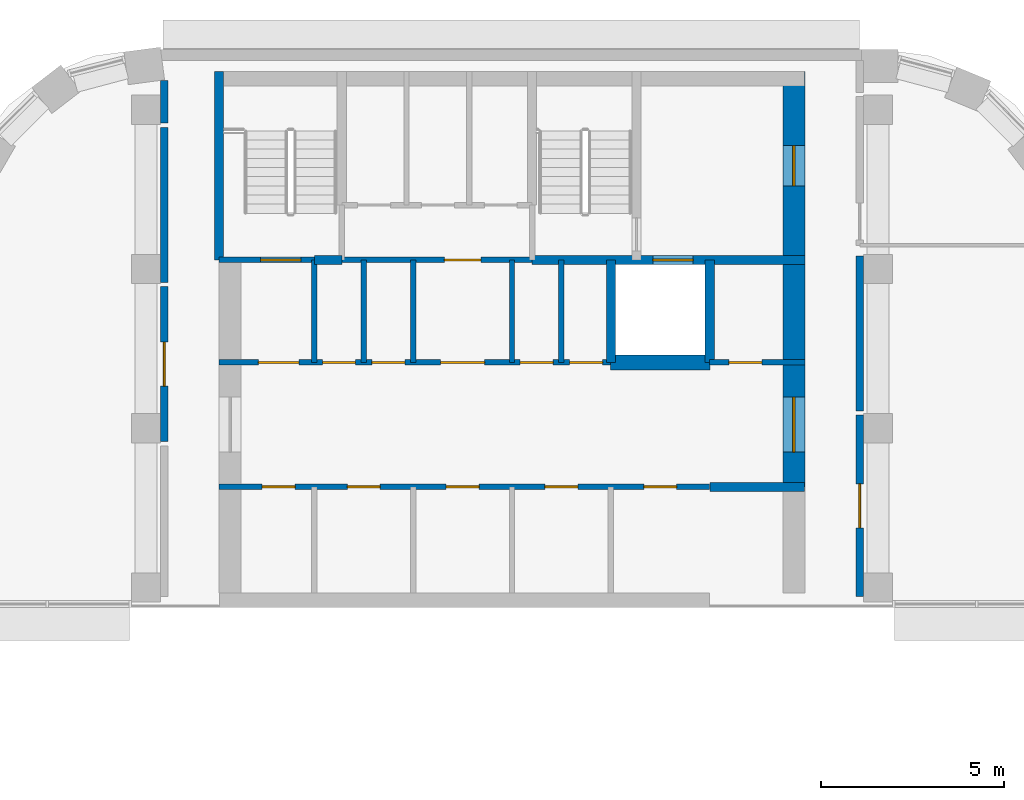
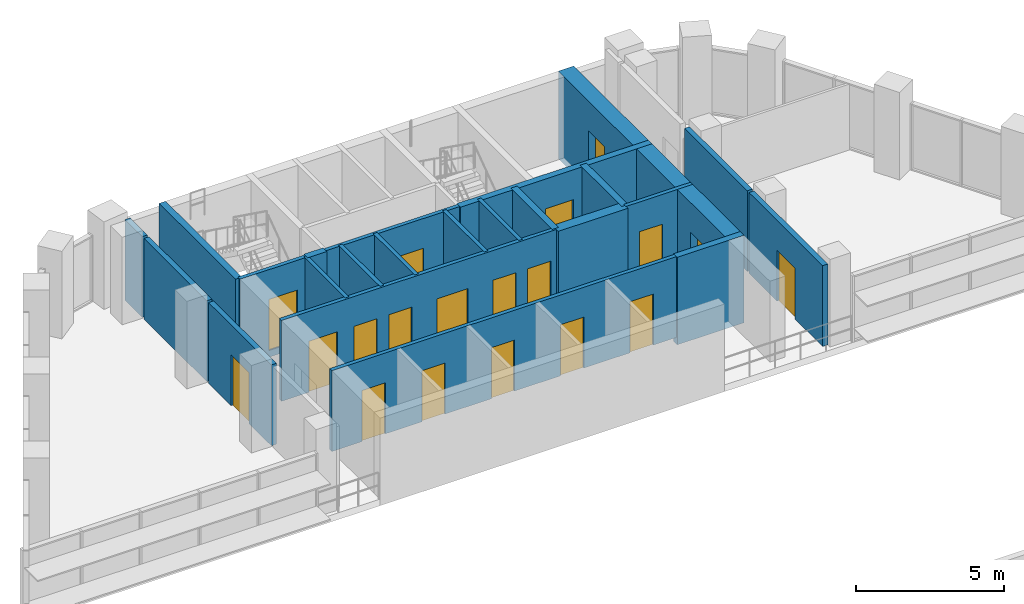
# One storey, part 7 of 10: 23 walls, 19 doors, 19 openings.
"""IFC4 building model written with IfcOpenShell, lengths in metres."""

from ifc_helpers import new_model, si_unit, direction, frame, frame_2d, origin, place, context, subcontext, project, spatial, rectangle, extrude, material, layer, layer_set, type_object, element, fill, save


model = new_model("IFC4")

# Units and contexts
model_context = context("Model", 3, precision=1e-05, world=origin(), true_north=direction((0.0, 1.0)))
body_context = subcontext(model_context, "Body", "Model", "MODEL_VIEW")
ifc_project = project(units=[si_unit("LENGTHUNIT", "METRE"), si_unit("AREAUNIT", "SQUARE_METRE"), si_unit("VOLUMEUNIT", "CUBIC_METRE"), si_unit("PLANEANGLEUNIT", "RADIAN"), si_unit("MASSUNIT", "GRAM", prefix="KILO")], contexts=[model_context])

# Site, building, storey
site_placement = place(None, origin())
site = spatial("IfcSite", under=ifc_project, at=site_placement, CompositionType="ELEMENT")
building_placement = place(site_placement, origin())
building = spatial("IfcBuilding", under=site, at=building_placement, Name="Nakaniwa Court", CompositionType="ELEMENT")
storey_placement = place(building_placement, frame((0.0, 0.0, 290.39990234375)))
storey = spatial("IfcBuildingStorey", under=building, at=storey_placement, Name="C06", CompositionType="ELEMENT", Elevation=290.39990234375)

# Wall, opening, door
ifc_material_1 = material(Name="Acoustic double stud partition")
ifc_layer_1 = layer(ifc_material_1, 0.199951171875)
ifc_layer_set_1 = layer_set([ifc_layer_1], Name="Acoustic double stud partition")
wall_type_1 = type_object("IfcWallType", Name="Acoustic double stud partition 200", PredefinedType="PARTITIONING", material=ifc_layer_set_1)
wall_1_placement = place(storey_placement, frame((89.5, 92.6630859375, 0.0), z_axis=(0.0, 0.0, 1.0), x_axis=(0.0, -1.0, 0.0)))
wall_1 = element("IfcWall", 1, at=wall_1_placement, inside=storey, type_object=wall_type_1, Name="Partition PW-031", PredefinedType="PARTITIONING", context=body_context, shape_type="SweptSolid", body=[
    extrude(rectangle(XDim=4.963134765625, YDim=0.199951171875, at=frame_2d((2.4814453125, 0.0))), origin(), (0.0, 0.0, 1.0), 3.3251953125),
])
opening_1_placement = place(wall_1_placement, frame((1.883056640625, 0.0, 0.0)))
opening_1 = element("IfcOpeningElement", 2, at=opening_1_placement, cuts=wall_1, Name="Opening D-30-01", PredefinedType="OPENING", context=body_context, shape_type="SweptSolid", body=[
    extrude(rectangle(XDim=1.199951171875, YDim=2.10009765625, at=frame_2d((0.60009765625, 1.050048828125))), frame((0.0, 0.10986328125, 0.0), z_axis=(0.0, -1.0, 0.0), x_axis=(1.0, 0.0, 0.0)), (0.0, 0.0, 1.0), 0.219970703125),
])
ifc_material_2 = material(Name="Solid core timber door set, black veneer", Category="wood")
door_type_1 = type_object("IfcDoorType", Name="Internal door 1200", OperationType="NOTDEFINED", PredefinedType="DOOR", material=ifc_material_2)
door_1_placement = place(opening_1_placement, origin())
door_1 = element("IfcDoor", 3, at=door_1_placement, inside=storey, type_object=door_type_1, Name="Door D-30-01 C06-019", OperationType="SINGLE_SWING_RIGHT", OverallHeight=2.10009765625, OverallWidth=1.199951171875, PredefinedType="DOOR", context=body_context, shape_type="SweptSolid", body=[
    extrude(rectangle(XDim=1.199951171875, YDim=2.10009765625, at=frame_2d((0.60009765625, 1.050048828125))), frame((0.0, 0.02490234375, 0.0), z_axis=(0.0, -1.0, 0.0), x_axis=(1.0, 0.0, 0.0)), (0.0, 0.0, 1.0), 0.050048828125),
])
fill(opening_1, door_1)

# Wall
wall_2_placement = place(storey_placement, frame((89.5, 92.777099609375, 0.0), z_axis=(0.0, 0.0, 1.0), x_axis=(0.0, 1.0, 0.0)))
element("IfcWall", 4, at=wall_2_placement, inside=storey, type_object=wall_type_1, Name="Partition PW-032", PredefinedType="PARTITIONING", context=body_context, shape_type="SweptSolid", body=[
    extrude(rectangle(XDim=4.23583984375, YDim=0.199951171875, at=frame_2d((2.117919921875, 0.0))), origin(), (0.0, 0.0, 1.0), 3.3251953125),
])

# Wall, opening, door
wall_3_placement = place(storey_placement, frame((70.5, 91.93701171875, 0.0), z_axis=(0.0, 0.0, 1.0), x_axis=(0.0, 1.0, 0.0)))
wall_3 = element("IfcWall", 5, at=wall_3_placement, inside=storey, type_object=wall_type_1, Name="Partition PW-037", PredefinedType="PARTITIONING", context=body_context, shape_type="SweptSolid", body=[
    extrude(rectangle(XDim=4.236083984375, YDim=0.199951171875, at=frame_2d((2.1181640625, 0.0))), origin(), (0.0, 0.0, 1.0), 3.3251953125),
])
opening_2_placement = place(wall_3_placement, frame((1.51806640625, 0.0, 0.0)))
opening_2 = element("IfcOpeningElement", 6, at=opening_2_placement, cuts=wall_3, Name="Opening D-30-02", PredefinedType="OPENING", context=body_context, shape_type="SweptSolid", body=[
    extrude(rectangle(XDim=1.199951171875, YDim=2.10009765625, at=frame_2d((0.60009765625, 1.050048828125))), frame((0.0, 0.10986328125, 0.0), z_axis=(0.0, -1.0, 0.0), x_axis=(1.0, 0.0, 0.0)), (0.0, 0.0, 1.0), 0.219970703125),
])
door_2_placement = place(opening_2_placement, origin())
door_2 = element("IfcDoor", 7, at=door_2_placement, inside=storey, type_object=door_type_1, Name="Door D-30-02 C06-021", OperationType="SINGLE_SWING_RIGHT", OverallHeight=2.10009765625, OverallWidth=1.199951171875, PredefinedType="DOOR", context=body_context, shape_type="SweptSolid", body=[
    extrude(rectangle(XDim=1.199951171875, YDim=2.10009765625, at=frame_2d((0.60009765625, 1.050048828125))), frame((0.0, 0.02490234375, 0.0), z_axis=(0.0, -1.0, 0.0), x_axis=(1.0, 0.0, 0.0)), (0.0, 0.0, 1.0), 0.050048828125),
])
fill(opening_2, door_2)

# Walls
wall_4_placement = place(storey_placement, frame((70.5, 96.287109375, 0.0), z_axis=(0.0, 0.0, 1.0), x_axis=(0.0, 1.0, 0.0)))
element("IfcWall", 8, at=wall_4_placement, inside=storey, type_object=wall_type_1, Name="Partition PW-038", PredefinedType="PARTITIONING", context=body_context, shape_type="SweptSolid", body=[
    extrude(rectangle(XDim=4.23583984375, YDim=0.199951171875, at=frame_2d((2.117919921875, 0.0))), origin(), (0.0, 0.0, 1.0), 3.3251953125),
])
wall_5_placement = place(storey_placement, frame((70.5, 100.636962890625, 0.0), z_axis=(0.0, 0.0, 1.0), x_axis=(0.0, 1.0, 0.0)))
element("IfcWall", 9, at=wall_5_placement, inside=storey, type_object=wall_type_1, Name="Partition PW-039", PredefinedType="PARTITIONING", context=body_context, shape_type="SweptSolid", body=[
    extrude(rectangle(XDim=1.163818359375, YDim=0.199951171875, at=frame_2d((0.58203125, 0.0))), origin(), (0.0, 0.0, 1.0), 3.3251953125),
])
ifc_material_3 = material(Name="Blockwork partition", Category="masonry")
ifc_layer_2 = layer(ifc_material_3, 0.14990234375)
ifc_layer_set_2 = layer_set([ifc_layer_2], Name="Blockwork partition")
wall_type_2 = type_object("IfcWallType", Name="Blockwork partition 150", PredefinedType="PARTITIONING", material=ifc_layer_set_2)
wall_6_placement = place(storey_placement, frame((74.60009765625, 94.10009765625, 0.0), z_axis=(0.0, 0.0, 1.0), x_axis=(0.0, 1.0, 0.0)))
element("IfcWall", 10, at=wall_6_placement, inside=storey, type_object=wall_type_2, Name="Partition PW-002", PredefinedType="PARTITIONING", context=body_context, shape_type="SweptSolid", body=[
    extrude(rectangle(XDim=2.7998046875, YDim=0.14990234375, at=frame_2d((1.39990234375, 0.0))), origin(), (0.0, 0.0, 1.0), 3.3251953125),
])

# Wall, openings, doors
wall_7_placement = place(storey_placement, frame((85.39990234375, 90.699951171875, 0.0), z_axis=(0.0, 0.0, 1.0), x_axis=(-1.0, 0.0, 0.0)))
wall_7 = element("IfcWall", 11, at=wall_7_placement, inside=storey, type_object=wall_type_2, Name="Partition PW-003", PredefinedType="PARTITIONING", context=body_context, shape_type="SweptSolid", body=[
    extrude(rectangle(XDim=13.39990234375, YDim=0.14990234375, at=frame_2d((6.699951171875, 0.0))), origin(), (0.0, 0.0, 1.0), 3.3251953125),
])
opening_3_placement = place(wall_7_placement, frame((11.324951171875, 0.0, 0.0)))
opening_3 = element("IfcOpeningElement", 12, at=opening_3_placement, cuts=wall_7, Name="Opening D-05-01", PredefinedType="OPENING", context=body_context, shape_type="SweptSolid", body=[
    extrude(rectangle(XDim=0.89990234375, YDim=2.10009765625, at=frame_2d((0.449951171875, 1.050048828125))), frame((0.0, 0.0849609375, 0.0), z_axis=(0.0, -1.0, 0.0), x_axis=(1.0, 0.0, 0.0)), (0.0, 0.0, 1.0), 0.169921875),
])
opening_4_placement = place(wall_7_placement, frame((9.0, 0.0, 0.0)))
opening_4 = element("IfcOpeningElement", 13, at=opening_4_placement, cuts=wall_7, Name="Opening D-05-02", PredefinedType="OPENING", context=body_context, shape_type="SweptSolid", body=[
    extrude(rectangle(XDim=0.89990234375, YDim=2.10009765625, at=frame_2d((0.449951171875, 1.050048828125))), frame((0.0, 0.0849609375, 0.0), z_axis=(0.0, -1.0, 0.0), x_axis=(1.0, 0.0, 0.0)), (0.0, 0.0, 1.0), 0.169921875),
])
opening_5_placement = place(wall_7_placement, frame((6.300048828125, 0.0, 0.0)))
opening_5 = element("IfcOpeningElement", 14, at=opening_5_placement, cuts=wall_7, Name="Opening D-05-03", PredefinedType="OPENING", context=body_context, shape_type="SweptSolid", body=[
    extrude(rectangle(XDim=0.89990234375, YDim=2.10009765625, at=frame_2d((0.449951171875, 1.050048828125))), frame((0.0, 0.0849609375, 0.0), z_axis=(0.0, -1.0, 0.0), x_axis=(1.0, 0.0, 0.0)), (0.0, 0.0, 1.0), 0.169921875),
])
opening_6_placement = place(wall_7_placement, frame((3.60009765625, 0.0, 0.0)))
opening_6 = element("IfcOpeningElement", 15, at=opening_6_placement, cuts=wall_7, Name="Opening D-05-04", PredefinedType="OPENING", context=body_context, shape_type="SweptSolid", body=[
    extrude(rectangle(XDim=0.89990234375, YDim=2.10009765625, at=frame_2d((0.449951171875, 1.050048828125))), frame((0.0, 0.0849609375, 0.0), z_axis=(0.0, -1.0, 0.0), x_axis=(1.0, 0.0, 0.0)), (0.0, 0.0, 1.0), 0.169921875),
])
opening_7_placement = place(wall_7_placement, frame((0.89990234375, 0.0, 0.0)))
opening_7 = element("IfcOpeningElement", 16, at=opening_7_placement, cuts=wall_7, Name="Opening D-05-05", PredefinedType="OPENING", context=body_context, shape_type="SweptSolid", body=[
    extrude(rectangle(XDim=0.89990234375, YDim=2.10009765625, at=frame_2d((0.449951171875, 1.050048828125))), frame((0.0, 0.0849609375, 0.0), z_axis=(0.0, -1.0, 0.0), x_axis=(1.0, 0.0, 0.0)), (0.0, 0.0, 1.0), 0.169921875),
])
ifc_material_4 = material(Name="Fire rated steel door set", Category="steel")
door_type_2 = type_object("IfcDoorType", Name="Service room door 900", OperationType="NOTDEFINED", PredefinedType="DOOR", material=ifc_material_4)
door_3_placement = place(opening_3_placement, origin())
door_3 = element("IfcDoor", 17, at=door_3_placement, inside=storey, type_object=door_type_2, Name="Door D-05-01 C06-001", OperationType="SINGLE_SWING_RIGHT", OverallHeight=2.10009765625, OverallWidth=0.89990234375, PredefinedType="DOOR", context=body_context, shape_type="SweptSolid", body=[
    extrude(rectangle(XDim=0.89990234375, YDim=2.10009765625, at=frame_2d((0.449951171875, 1.050048828125))), frame((0.0, 0.02490234375, 0.0), z_axis=(0.0, -1.0, 0.0), x_axis=(1.0, 0.0, 0.0)), (0.0, 0.0, 1.0), 0.050048828125),
])
fill(opening_3, door_3)
door_4_placement = place(opening_4_placement, origin())
door_4 = element("IfcDoor", 18, at=door_4_placement, inside=storey, type_object=door_type_2, Name="Door D-05-02 C06-002", OperationType="SINGLE_SWING_LEFT", OverallHeight=2.10009765625, OverallWidth=0.89990234375, PredefinedType="DOOR", context=body_context, shape_type="SweptSolid", body=[
    extrude(rectangle(XDim=0.89990234375, YDim=2.10009765625, at=frame_2d((0.449951171875, 1.050048828125))), frame((0.0, 0.02490234375, 0.0), z_axis=(0.0, -1.0, 0.0), x_axis=(1.0, 0.0, 0.0)), (0.0, 0.0, 1.0), 0.050048828125),
])
fill(opening_4, door_4)
door_5_placement = place(opening_5_placement, origin())
door_5 = element("IfcDoor", 19, at=door_5_placement, inside=storey, type_object=door_type_2, Name="Door D-05-03 C06-003", OperationType="SINGLE_SWING_RIGHT", OverallHeight=2.10009765625, OverallWidth=0.89990234375, PredefinedType="DOOR", context=body_context, shape_type="SweptSolid", body=[
    extrude(rectangle(XDim=0.89990234375, YDim=2.10009765625, at=frame_2d((0.449951171875, 1.050048828125))), frame((0.0, 0.02490234375, 0.0), z_axis=(0.0, -1.0, 0.0), x_axis=(1.0, 0.0, 0.0)), (0.0, 0.0, 1.0), 0.050048828125),
])
fill(opening_5, door_5)
door_6_placement = place(opening_6_placement, origin())
door_6 = element("IfcDoor", 20, at=door_6_placement, inside=storey, type_object=door_type_2, Name="Door D-05-04 C06-004", OperationType="SINGLE_SWING_LEFT", OverallHeight=2.10009765625, OverallWidth=0.89990234375, PredefinedType="DOOR", context=body_context, shape_type="SweptSolid", body=[
    extrude(rectangle(XDim=0.89990234375, YDim=2.10009765625, at=frame_2d((0.449951171875, 1.050048828125))), frame((0.0, 0.02490234375, 0.0), z_axis=(0.0, -1.0, 0.0), x_axis=(1.0, 0.0, 0.0)), (0.0, 0.0, 1.0), 0.050048828125),
])
fill(opening_6, door_6)
door_7_placement = place(opening_7_placement, origin())
door_7 = element("IfcDoor", 21, at=door_7_placement, inside=storey, type_object=door_type_2, Name="Door D-05-05 C06-005", OperationType="SINGLE_SWING_RIGHT", OverallHeight=2.10009765625, OverallWidth=0.89990234375, PredefinedType="DOOR", context=body_context, shape_type="SweptSolid", body=[
    extrude(rectangle(XDim=0.89990234375, YDim=2.10009765625, at=frame_2d((0.449951171875, 1.050048828125))), frame((0.0, 0.02490234375, 0.0), z_axis=(0.0, -1.0, 0.0), x_axis=(1.0, 0.0, 0.0)), (0.0, 0.0, 1.0), 0.050048828125),
])
fill(opening_7, door_7)

# Walls
for number, where, z_axis, x_axis, name in (
    (22, (77.300048828125, 94.10009765625, 0.0), (0.0, 0.0, 1.0), (0.0, 1.0, 0.0), "Partition PW-006"),
    (23, (80.0, 94.10009765625, 0.0), (0.0, 0.0, 1.0), (0.0, 1.0, 0.0), "Partition PW-008"),
):
    element("IfcWall", number, at=place(storey_placement, frame(where, z_axis=z_axis, x_axis=x_axis)), inside=storey, type_object=wall_type_2, Name=name, PredefinedType="PARTITIONING", context=body_context, shape_type="SweptSolid", body=[
        extrude(rectangle(XDim=2.7998046875, YDim=0.14990234375, at=frame_2d((1.39990234375, 0.0))), origin(), (0.0, 0.0, 1.0), 3.3251953125),
    ])

# Wall, openings, doors
wall_8_placement = place(storey_placement, frame((72.0, 94.10009765625, 0.0), z_axis=(0.0, 0.0, 1.0), x_axis=(1.0, 0.0, 0.0)))
wall_8 = element("IfcWall", 24, at=wall_8_placement, inside=storey, type_object=wall_type_2, Name="Partition PW-010", PredefinedType="PARTITIONING", context=body_context, shape_type="SweptSolid", body=[
    extrude(rectangle(XDim=10.702880859375, YDim=0.14990234375, at=frame_2d((5.3515625, 0.0))), origin(), (0.0, 0.0, 1.0), 3.3251953125),
])
opening_8_placement = place(wall_8_placement, frame((1.074951171875, 0.0, 0.0)))
opening_8 = element("IfcOpeningElement", 25, at=opening_8_placement, cuts=wall_8, Name="Opening D-08-01", PredefinedType="OPENING", context=body_context, shape_type="SweptSolid", body=[
    extrude(rectangle(XDim=1.10009765625, YDim=2.10009765625, at=frame_2d((0.550048828125, 1.050048828125))), frame((0.0, 0.0849609375, 0.0), z_axis=(0.0, -1.0, 0.0), x_axis=(1.0, 0.0, 0.0)), (0.0, 0.0, 1.0), 0.169921875),
])
opening_9_placement = place(wall_8_placement, frame((2.824951171875, 0.0, 0.0)))
opening_9 = element("IfcOpeningElement", 26, at=opening_9_placement, cuts=wall_8, Name="Opening D-05-06", PredefinedType="OPENING", context=body_context, shape_type="SweptSolid", body=[
    extrude(rectangle(XDim=0.89990234375, YDim=2.10009765625, at=frame_2d((0.449951171875, 1.050048828125))), frame((0.0, 0.0849609375, 0.0), z_axis=(0.0, -1.0, 0.0), x_axis=(1.0, 0.0, 0.0)), (0.0, 0.0, 1.0), 0.169921875),
])
opening_10_placement = place(wall_8_placement, frame((4.175048828125, 0.0, 0.0)))
opening_10 = element("IfcOpeningElement", 27, at=opening_10_placement, cuts=wall_8, Name="Opening D-05-07", PredefinedType="OPENING", context=body_context, shape_type="SweptSolid", body=[
    extrude(rectangle(XDim=0.89990234375, YDim=2.10009765625, at=frame_2d((0.449951171875, 1.050048828125))), frame((0.0, 0.0849609375, 0.0), z_axis=(0.0, -1.0, 0.0), x_axis=(1.0, 0.0, 0.0)), (0.0, 0.0, 1.0), 0.169921875),
])
opening_11_placement = place(wall_8_placement, frame((6.050048828125, 0.0, 0.0)))
opening_11 = element("IfcOpeningElement", 28, at=opening_11_placement, cuts=wall_8, Name="Opening D-06-01", PredefinedType="OPENING", context=body_context, shape_type="SweptSolid", body=[
    extrude(rectangle(XDim=1.199951171875, YDim=2.10009765625, at=frame_2d((0.60009765625, 1.050048828125))), frame((0.0, 0.0849609375, 0.0), z_axis=(0.0, -1.0, 0.0), x_axis=(1.0, 0.0, 0.0)), (0.0, 0.0, 1.0), 0.169921875),
])
opening_12_placement = place(wall_8_placement, frame((8.22509765625, 0.0, 0.0)))
opening_12 = element("IfcOpeningElement", 29, at=opening_12_placement, cuts=wall_8, Name="Opening D-05-08", PredefinedType="OPENING", context=body_context, shape_type="SweptSolid", body=[
    extrude(rectangle(XDim=0.89990234375, YDim=2.10009765625, at=frame_2d((0.449951171875, 1.050048828125))), frame((0.0, 0.0849609375, 0.0), z_axis=(0.0, -1.0, 0.0), x_axis=(1.0, 0.0, 0.0)), (0.0, 0.0, 1.0), 0.169921875),
])
opening_13_placement = place(wall_8_placement, frame((9.574951171875, 0.0, 0.0)))
opening_13 = element("IfcOpeningElement", 30, at=opening_13_placement, cuts=wall_8, Name="Opening D-05-09", PredefinedType="OPENING", context=body_context, shape_type="SweptSolid", body=[
    extrude(rectangle(XDim=0.89990234375, YDim=2.10009765625, at=frame_2d((0.449951171875, 1.050048828125))), frame((0.0, 0.0849609375, 0.0), z_axis=(0.0, -1.0, 0.0), x_axis=(1.0, 0.0, 0.0)), (0.0, 0.0, 1.0), 0.169921875),
])
ifc_material_5 = material(Name="Fire rated steel double door set", Category="steel")
door_type_3 = type_object("IfcDoorType", Name="Service passage double door 1200", OperationType="NOTDEFINED", PredefinedType="DOOR", material=ifc_material_5)
door_8_placement = place(opening_11_placement, origin())
door_8 = element("IfcDoor", 31, at=door_8_placement, inside=storey, type_object=door_type_3, Name="Door D-06-01 C06-009", OperationType="DOUBLE_DOOR_SINGLE_SWING", OverallHeight=2.10009765625, OverallWidth=1.199951171875, PredefinedType="DOOR", context=body_context, shape_type="SweptSolid", body=[
    extrude(rectangle(XDim=1.199951171875, YDim=2.10009765625, at=frame_2d((0.60009765625, 1.050048828125))), frame((0.0, 0.02490234375, 0.0), z_axis=(0.0, -1.0, 0.0), x_axis=(1.0, 0.0, 0.0)), (0.0, 0.0, 1.0), 0.050048828125),
])
fill(opening_11, door_8)
door_9_placement = place(opening_9_placement, origin())
door_9 = element("IfcDoor", 32, at=door_9_placement, inside=storey, type_object=door_type_2, Name="Door D-05-06 C06-007", OperationType="SINGLE_SWING_RIGHT", OverallHeight=2.10009765625, OverallWidth=0.89990234375, PredefinedType="DOOR", context=body_context, shape_type="SweptSolid", body=[
    extrude(rectangle(XDim=0.89990234375, YDim=2.10009765625, at=frame_2d((0.449951171875, 1.050048828125))), frame((0.0, 0.02490234375, 0.0), z_axis=(0.0, -1.0, 0.0), x_axis=(1.0, 0.0, 0.0)), (0.0, 0.0, 1.0), 0.050048828125),
])
fill(opening_9, door_9)
door_10_placement = place(opening_10_placement, origin())
door_10 = element("IfcDoor", 33, at=door_10_placement, inside=storey, type_object=door_type_2, Name="Door D-05-07 C06-008", OperationType="SINGLE_SWING_LEFT", OverallHeight=2.10009765625, OverallWidth=0.89990234375, PredefinedType="DOOR", context=body_context, shape_type="SweptSolid", body=[
    extrude(rectangle(XDim=0.89990234375, YDim=2.10009765625, at=frame_2d((0.449951171875, 1.050048828125))), frame((0.0, 0.02490234375, 0.0), z_axis=(0.0, -1.0, 0.0), x_axis=(1.0, 0.0, 0.0)), (0.0, 0.0, 1.0), 0.050048828125),
])
fill(opening_10, door_10)
door_11_placement = place(opening_12_placement, origin())
door_11 = element("IfcDoor", 34, at=door_11_placement, inside=storey, type_object=door_type_2, Name="Door D-05-08 C06-010", OperationType="SINGLE_SWING_LEFT", OverallHeight=2.10009765625, OverallWidth=0.89990234375, PredefinedType="DOOR", context=body_context, shape_type="SweptSolid", body=[
    extrude(rectangle(XDim=0.89990234375, YDim=2.10009765625, at=frame_2d((0.449951171875, 1.050048828125))), frame((0.0, 0.02490234375, 0.0), z_axis=(0.0, -1.0, 0.0), x_axis=(1.0, 0.0, 0.0)), (0.0, 0.0, 1.0), 0.050048828125),
])
fill(opening_12, door_11)
door_12_placement = place(opening_13_placement, origin())
door_12 = element("IfcDoor", 35, at=door_12_placement, inside=storey, type_object=door_type_2, Name="Door D-05-09 C06-011", OperationType="SINGLE_SWING_RIGHT", OverallHeight=2.10009765625, OverallWidth=0.89990234375, PredefinedType="DOOR", context=body_context, shape_type="SweptSolid", body=[
    extrude(rectangle(XDim=0.89990234375, YDim=2.10009765625, at=frame_2d((0.449951171875, 1.050048828125))), frame((0.0, 0.02490234375, 0.0), z_axis=(0.0, -1.0, 0.0), x_axis=(1.0, 0.0, 0.0)), (0.0, 0.0, 1.0), 0.050048828125),
])
fill(opening_13, door_12)
door_type_4 = type_object("IfcDoorType", Name="Stair lobby door 1100", OperationType="NOTDEFINED", PredefinedType="DOOR", material=ifc_material_4)
door_13_placement = place(opening_8_placement, origin())
door_13 = element("IfcDoor", 36, at=door_13_placement, inside=storey, type_object=door_type_4, Name="Door D-08-01 C06-006", OperationType="SINGLE_SWING_LEFT", OverallHeight=2.10009765625, OverallWidth=1.10009765625, PredefinedType="DOOR", context=body_context, shape_type="SweptSolid", body=[
    extrude(rectangle(XDim=1.10009765625, YDim=2.10009765625, at=frame_2d((0.550048828125, 1.050048828125))), frame((0.0, 0.02490234375, 0.0), z_axis=(0.0, -1.0, 0.0), x_axis=(1.0, 0.0, 0.0)), (0.0, 0.0, 1.0), 0.050048828125),
])
fill(opening_8, door_13)

# Wall, opening, door
wall_9_placement = place(storey_placement, frame((85.39697265625, 94.10009765625, 0.0), z_axis=(0.0, 0.0, 1.0), x_axis=(1.0, 0.0, 0.0)))
wall_9 = element("IfcWall", 37, at=wall_9_placement, inside=storey, type_object=wall_type_2, Name="Partition PW-011", PredefinedType="PARTITIONING", context=body_context, shape_type="SweptSolid", body=[
    extrude(rectangle(XDim=2.60302734375, YDim=0.14990234375, at=frame_2d((1.301513671875, 0.0))), origin(), (0.0, 0.0, 1.0), 3.3251953125),
])
opening_14_placement = place(wall_9_placement, frame((0.528076171875, 0.0, 0.0)))
opening_14 = element("IfcOpeningElement", 38, at=opening_14_placement, cuts=wall_9, Name="Opening D-05-10", PredefinedType="OPENING", context=body_context, shape_type="SweptSolid", body=[
    extrude(rectangle(XDim=0.89990234375, YDim=2.10009765625, at=frame_2d((0.449951171875, 1.050048828125))), frame((0.0, 0.0849609375, 0.0), z_axis=(0.0, -1.0, 0.0), x_axis=(1.0, 0.0, 0.0)), (0.0, 0.0, 1.0), 0.169921875),
])
door_14_placement = place(opening_14_placement, origin())
door_14 = element("IfcDoor", 39, at=door_14_placement, inside=storey, type_object=door_type_2, Name="Door D-05-10 C06-012", OperationType="SINGLE_SWING_LEFT", OverallHeight=2.10009765625, OverallWidth=0.89990234375, PredefinedType="DOOR", context=body_context, shape_type="SweptSolid", body=[
    extrude(rectangle(XDim=0.89990234375, YDim=2.10009765625, at=frame_2d((0.449951171875, 1.050048828125))), frame((0.0, 0.02490234375, 0.0), z_axis=(0.0, -1.0, 0.0), x_axis=(1.0, 0.0, 0.0)), (0.0, 0.0, 1.0), 0.050048828125),
])
fill(opening_14, door_14)

# Wall
wall_10_placement = place(storey_placement, frame((75.949951171875, 94.10009765625, 0.0), z_axis=(0.0, 0.0, 1.0), x_axis=(0.0, 1.0, 0.0)))
element("IfcWall", 40, at=wall_10_placement, inside=storey, type_object=wall_type_2, Name="Partition PW-015", PredefinedType="PARTITIONING", context=body_context, shape_type="SweptSolid", body=[
    extrude(rectangle(XDim=2.7998046875, YDim=0.14990234375, at=frame_2d((1.39990234375, 0.0))), origin(), (0.0, 0.0, 1.0), 3.3251953125),
])

# Wall, opening, door
wall_11_placement = place(storey_placement, frame((75.346923828125, 96.89990234375, 0.0), z_axis=(0.0, 0.0, 1.0), x_axis=(1.0, 0.0, 0.0)))
wall_11 = element("IfcWall", 41, at=wall_11_placement, inside=storey, type_object=wall_type_2, Name="Partition PW-018", PredefinedType="PARTITIONING", context=body_context, shape_type="SweptSolid", body=[
    extrude(rectangle(XDim=5.2060546875, YDim=0.14990234375, at=frame_2d((2.60302734375, 0.0))), origin(), (0.0, 0.0, 1.0), 3.3251953125),
])
opening_15_placement = place(wall_11_placement, frame((2.802978515625, 0.0, 0.0)))
opening_15 = element("IfcOpeningElement", 42, at=opening_15_placement, cuts=wall_11, Name="Opening D-23-01", PredefinedType="OPENING", context=body_context, shape_type="SweptSolid", body=[
    extrude(rectangle(XDim=1.0, YDim=2.10009765625, at=frame_2d((0.5, 1.050048828125))), frame((0.0, 0.0849609375, 0.0), z_axis=(0.0, -1.0, 0.0), x_axis=(1.0, 0.0, 0.0)), (0.0, 0.0, 1.0), 0.169921875),
])
door_type_5 = type_object("IfcDoorType", Name="Service room door 1000", OperationType="NOTDEFINED", PredefinedType="DOOR", material=ifc_material_4)
door_15_placement = place(opening_15_placement, origin())
door_15 = element("IfcDoor", 43, at=door_15_placement, inside=storey, type_object=door_type_5, Name="Door D-23-01 C06-013", OperationType="SINGLE_SWING_RIGHT", OverallHeight=2.10009765625, OverallWidth=1.0, PredefinedType="DOOR", context=body_context, shape_type="SweptSolid", body=[
    extrude(rectangle(XDim=1.0, YDim=2.10009765625, at=frame_2d((0.5, 1.050048828125))), frame((0.0, 0.02490234375, 0.0), z_axis=(0.0, -1.0, 0.0), x_axis=(1.0, 0.0, 0.0)), (0.0, 0.0, 1.0), 0.050048828125),
])
fill(opening_15, door_15)

# Wall
wall_12_placement = place(storey_placement, frame((81.35009765625, 94.10009765625, 0.0), z_axis=(0.0, 0.0, 1.0), x_axis=(0.0, 1.0, 0.0)))
element("IfcWall", 44, at=wall_12_placement, inside=storey, type_object=wall_type_2, Name="Partition PW-019", PredefinedType="PARTITIONING", context=body_context, shape_type="SweptSolid", body=[
    extrude(rectangle(XDim=2.7998046875, YDim=0.14990234375, at=frame_2d((1.39990234375, 0.0))), origin(), (0.0, 0.0, 1.0), 3.3251953125),
])

# Wall, openings, doors
ifc_material_6 = material(Name="Concrete C80/100", Category="concrete")
ifc_layer_3 = layer(ifc_material_6, 0.60009765625)
ifc_layer_set_3 = layer_set([ifc_layer_3], Name="Concrete C80/100")
wall_type_3 = type_object("IfcWallType", Name="Concrete core side wall 600 C80", PredefinedType="SHEAR", material=ifc_layer_set_3)
wall_13_placement = place(storey_placement, frame((87.699951171875, 102.050048828125, -0.27490234375), z_axis=(0.0, 0.0, 1.0), x_axis=(0.0, -1.0, 0.0)))
wall_13 = element("IfcWall", 45, at=wall_13_placement, inside=storey, type_object=wall_type_3, Name="Core wall SW-13", PredefinedType="SHEAR", context=body_context, shape_type="SweptSolid", body=[
    extrude(rectangle(XDim=11.35009765625, YDim=0.60009765625, at=frame_2d((5.675048828125, 0.0))), origin(), (0.0, 0.0, 1.0), 3.60009765625),
])
opening_16_placement = place(wall_13_placement, frame((8.89990234375, 0.0, 0.27490234375)))
opening_16 = element("IfcOpeningElement", 46, at=opening_16_placement, cuts=wall_13, Name="Opening D-07-01", PredefinedType="OPENING", context=body_context, shape_type="SweptSolid", body=[
    extrude(rectangle(XDim=1.5, YDim=2.10009765625, at=frame_2d((0.75, 1.050048828125))), frame((0.0, 0.31005859375, 0.0), z_axis=(0.0, -1.0, 0.0), x_axis=(1.0, 0.0, 0.0)), (0.0, 0.0, 1.0), 0.6201171875),
])
opening_17_placement = place(wall_13_placement, frame((2.02490234375, 0.0, 0.27490234375)))
opening_17 = element("IfcOpeningElement", 47, at=opening_17_placement, cuts=wall_13, Name="Opening D-10-01", PredefinedType="OPENING", context=body_context, shape_type="SweptSolid", body=[
    extrude(rectangle(XDim=1.10009765625, YDim=2.10009765625, at=frame_2d((0.550048828125, 1.050048828125))), frame((0.0, 0.31005859375, 0.0), z_axis=(0.0, -1.0, 0.0), x_axis=(1.0, 0.0, 0.0)), (0.0, 0.0, 1.0), 0.6201171875),
])
door_type_6 = type_object("IfcDoorType", Name="Firefighting lobby door 1100", OperationType="NOTDEFINED", PredefinedType="DOOR", material=ifc_material_4)
door_16_placement = place(opening_17_placement, origin())
door_16 = element("IfcDoor", 48, at=door_16_placement, inside=storey, type_object=door_type_6, Name="Door D-10-01 C06-024", OperationType="SINGLE_SWING_LEFT", OverallHeight=2.10009765625, OverallWidth=1.10009765625, PredefinedType="DOOR", context=body_context, shape_type="SweptSolid", body=[
    extrude(rectangle(XDim=1.10009765625, YDim=2.10009765625, at=frame_2d((0.550048828125, 1.050048828125))), frame((0.0, 0.02490234375, 0.0), z_axis=(0.0, -1.0, 0.0), x_axis=(1.0, 0.0, 0.0)), (0.0, 0.0, 1.0), 0.050048828125),
])
fill(opening_17, door_16)
ifc_material_7 = material(Name="Glazed fire rated steel double door set", Category="steel")
door_type_7 = type_object("IfcDoorType", Name="Lobby double door 1500", OperationType="NOTDEFINED", PredefinedType="DOOR", material=ifc_material_7)
door_17_placement = place(opening_16_placement, origin())
door_17 = element("IfcDoor", 49, at=door_17_placement, inside=storey, type_object=door_type_7, Name="Door D-07-01 C06-022", OperationType="DOUBLE_DOOR_SINGLE_SWING", OverallHeight=2.10009765625, OverallWidth=1.5, PredefinedType="DOOR", context=body_context, shape_type="SweptSolid", body=[
    extrude(rectangle(XDim=1.5, YDim=2.10009765625, at=frame_2d((0.75, 1.050048828125))), frame((0.0, 0.02490234375, 0.0), z_axis=(0.0, -1.0, 0.0), x_axis=(1.0, 0.0, 0.0)), (0.0, 0.0, 1.0), 0.050048828125),
])
fill(opening_16, door_17)

# Wall
ifc_layer_4 = layer(ifc_material_6, 0.39990234375)
ifc_layer_set_4 = layer_set([ifc_layer_4], Name="Concrete C80/100")
wall_type_4 = type_object("IfcWallType", Name="Concrete core spine wall 400 C80", PredefinedType="SHEAR", material=ifc_layer_set_4)
wall_14_placement = place(storey_placement, frame((82.697021484375, 94.10009765625, -0.27490234375), z_axis=(0.0, 0.0, 1.0), x_axis=(1.0, 0.0, 0.0)))
element("IfcWall", 50, at=wall_14_placement, inside=storey, type_object=wall_type_4, Name="Core wall SW-12", PredefinedType="SHEAR", context=body_context, shape_type="SweptSolid", body=[
    extrude(rectangle(XDim=2.7060546875, YDim=0.39990234375, at=frame_2d((1.35302734375, 0.0))), origin(), (0.0, 0.0, 1.0), 3.60009765625),
])

# Wall, opening, door
ifc_layer_5 = layer(ifc_material_6, 0.14990234375)
ifc_layer_set_5 = layer_set([ifc_layer_5], Name="Concrete C80/100")
wall_type_5 = type_object("IfcWallType", Name="Concrete core wall 150 C80", PredefinedType="SHEAR", material=ifc_layer_set_5)
wall_15_placement = place(storey_placement, frame((74.60009765625, 96.89990234375, -0.27490234375), z_axis=(0.0, 0.0, 1.0), x_axis=(-1.0, 0.0, 0.0)))
wall_15 = element("IfcWall", 51, at=wall_15_placement, inside=storey, type_object=wall_type_5, Name="Core wall SW-14", PredefinedType="SHEAR", context=body_context, shape_type="SweptSolid", body=[
    extrude(rectangle(XDim=2.60009765625, YDim=0.14990234375, at=frame_2d((1.300048828125, 0.0))), origin(), (0.0, 0.0, 1.0), 3.60009765625),
])
opening_18_placement = place(wall_15_placement, frame((0.3701171875, 0.0, 0.27490234375)))
opening_18 = element("IfcOpeningElement", 52, at=opening_18_placement, cuts=wall_15, Name="Opening D-09-01", PredefinedType="OPENING", context=body_context, shape_type="SweptSolid", body=[
    extrude(rectangle(XDim=1.10009765625, YDim=2.10009765625, at=frame_2d((0.550048828125, 1.050048828125))), frame((0.0, 0.0849609375, 0.0), z_axis=(0.0, -1.0, 0.0), x_axis=(1.0, 0.0, 0.0)), (0.0, 0.0, 1.0), 0.169921875),
])
door_type_8 = type_object("IfcDoorType", Name="Stair door 1100", OperationType="NOTDEFINED", PredefinedType="DOOR", material=ifc_material_4)
door_18_placement = place(opening_18_placement, origin())
door_18 = element("IfcDoor", 53, at=door_18_placement, inside=storey, type_object=door_type_8, Name="Door D-09-01 C06-017", OperationType="SINGLE_SWING_LEFT", OverallHeight=2.10009765625, OverallWidth=1.10009765625, PredefinedType="DOOR", context=body_context, shape_type="SweptSolid", body=[
    extrude(rectangle(XDim=1.10009765625, YDim=2.10009765625, at=frame_2d((0.550048828125, 1.050048828125))), frame((0.0, 0.02490234375, 0.0), z_axis=(0.0, -1.0, 0.0), x_axis=(1.0, 0.0, 0.0)), (0.0, 0.0, 1.0), 0.050048828125),
])
fill(opening_18, door_18)

# Walls
ifc_layer_6 = layer(ifc_material_6, 0.25)
ifc_layer_set_6 = layer_set([ifc_layer_6], Name="Concrete C80/100")
wall_type_6 = type_object("IfcWallType", Name="Concrete core wall 250 C80", PredefinedType="SHEAR", material=ifc_layer_set_6)
wall_16_placement = place(storey_placement, frame((72.0, 96.89990234375, -0.27490234375), z_axis=(0.0, 0.0, 1.0), x_axis=(0.0, 1.0, 0.0)))
element("IfcWall", 54, at=wall_16_placement, inside=storey, type_object=wall_type_6, Name="Core wall SW-24", PredefinedType="SHEAR", context=body_context, shape_type="SweptSolid", body=[
    extrude(rectangle(XDim=5.150146484375, YDim=0.25, at=frame_2d((2.5751953125, 0.0))), origin(), (0.0, 0.0, 1.0), 3.60009765625),
])
ifc_layer_7 = layer(ifc_material_6, 0.25)
ifc_layer_set_7 = layer_set([ifc_layer_7], Name="Concrete C80/100")
wall_type_7 = type_object("IfcWallType", Name="Concrete shaft wall 250 C80", PredefinedType="SHEAR", material=ifc_layer_set_7)
wall_17_placement = place(storey_placement, frame((74.60009765625, 96.89990234375, -0.27490234375), z_axis=(0.0, 0.0, 1.0), x_axis=(1.0, 0.0, 0.0)))
element("IfcWall", 55, at=wall_17_placement, inside=storey, type_object=wall_type_7, Name="Core wall SW-16", PredefinedType="SHEAR", context=body_context, shape_type="SweptSolid", body=[
    extrude(rectangle(XDim=0.7529296875, YDim=0.25, at=frame_2d((0.37646484375, 0.0))), origin(), (0.0, 0.0, 1.0), 3.60009765625),
])

# Wall, opening, door
wall_18_placement = place(storey_placement, frame((80.547119140625, 96.89990234375, -0.27490234375), z_axis=(0.0, 0.0, 1.0), x_axis=(1.0, 0.0, 0.0)))
wall_18 = element("IfcWall", 56, at=wall_18_placement, inside=storey, type_object=wall_type_7, Name="Core wall SW-17", PredefinedType="SHEAR", context=body_context, shape_type="SweptSolid", body=[
    extrude(rectangle(XDim=7.452880859375, YDim=0.25, at=frame_2d((3.7265625, 0.0))), origin(), (0.0, 0.0, 1.0), 3.60009765625),
])
opening_19_placement = place(wall_18_placement, frame((3.302001953125, 0.0, 0.27490234375)))
opening_19 = element("IfcOpeningElement", 57, at=opening_19_placement, cuts=wall_18, Name="Opening LD01", PredefinedType="OPENING", context=body_context, shape_type="SweptSolid", body=[
    extrude(rectangle(XDim=1.10009765625, YDim=2.10009765625, at=frame_2d((0.550048828125, 1.050048828125))), frame((0.0, 0.135009765625, 0.0), z_axis=(0.0, -1.0, 0.0), x_axis=(1.0, 0.0, 0.0)), (0.0, 0.0, 1.0), 0.27001953125),
])
ifc_material_8 = material(Name="Stainless steel sliding lift landing door", Category="steel")
door_type_9 = type_object("IfcDoorType", Name="Lift landing door 1100", OperationType="NOTDEFINED", PredefinedType="DOOR", material=ifc_material_8)
door_19_placement = place(opening_19_placement, origin())
door_19 = element("IfcDoor", 58, at=door_19_placement, inside=storey, type_object=door_type_9, Name="Lift landing door LD01 C06-001", OperationType="SLIDING_TO_LEFT", OverallHeight=2.10009765625, OverallWidth=1.10009765625, PredefinedType="DOOR", context=body_context, shape_type="SweptSolid", body=[
    extrude(rectangle(XDim=1.10009765625, YDim=2.10009765625, at=frame_2d((0.550048828125, 1.050048828125))), frame((0.0, 0.02490234375, 0.0), z_axis=(0.0, -1.0, 0.0), x_axis=(1.0, 0.0, 0.0)), (0.0, 0.0, 1.0), 0.050048828125),
])
fill(opening_19, door_19)

# Walls
for number, where, z_axis, x_axis, name in (
    (59, (82.699951171875, 94.10009765625, -0.27490234375), (0.0, 0.0, 1.0), (0.0, 1.0, 0.0), "Core wall SW-20"),
    (60, (85.39990234375, 94.10009765625, -0.27490234375), (0.0, 0.0, 1.0), (0.0, 1.0, 0.0), "Core wall SW-21"),
):
    element("IfcWall", number, at=place(storey_placement, frame(where, z_axis=z_axis, x_axis=x_axis)), inside=storey, type_object=wall_type_7, Name=name, PredefinedType="SHEAR", context=body_context, shape_type="SweptSolid", body=[
        extrude(rectangle(XDim=2.7998046875, YDim=0.25, at=frame_2d((1.39990234375, 0.0))), origin(), (0.0, 0.0, 1.0), 3.60009765625),
    ])
wall_19_placement = place(storey_placement, frame((85.404052734375, 90.699951171875, -0.27490234375), z_axis=(0.0, 0.0, 1.0), x_axis=(1.0, 0.0, 0.0)))
element("IfcWall", 61, at=wall_19_placement, inside=storey, type_object=wall_type_7, Name="Core wall SW-42", PredefinedType="SHEAR", context=body_context, shape_type="SweptSolid", body=[
    extrude(rectangle(XDim=2.592041015625, YDim=0.25, at=frame_2d((1.2958984375, 0.0))), origin(), (0.0, 0.0, 1.0), 3.60009765625),
])

save(model, "model.ifc")
